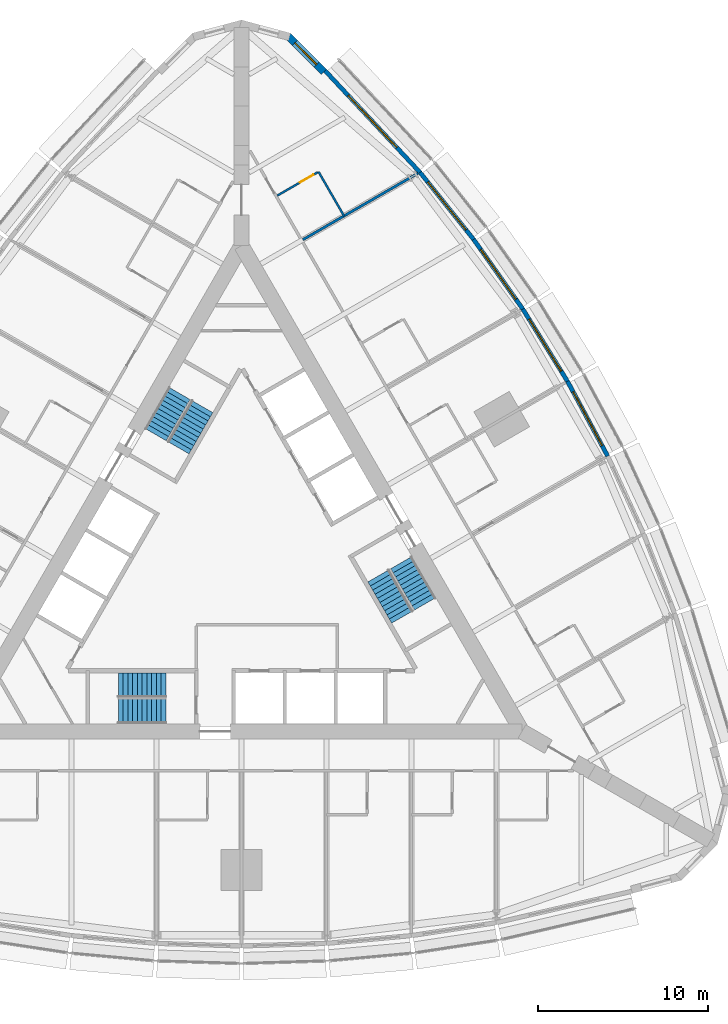
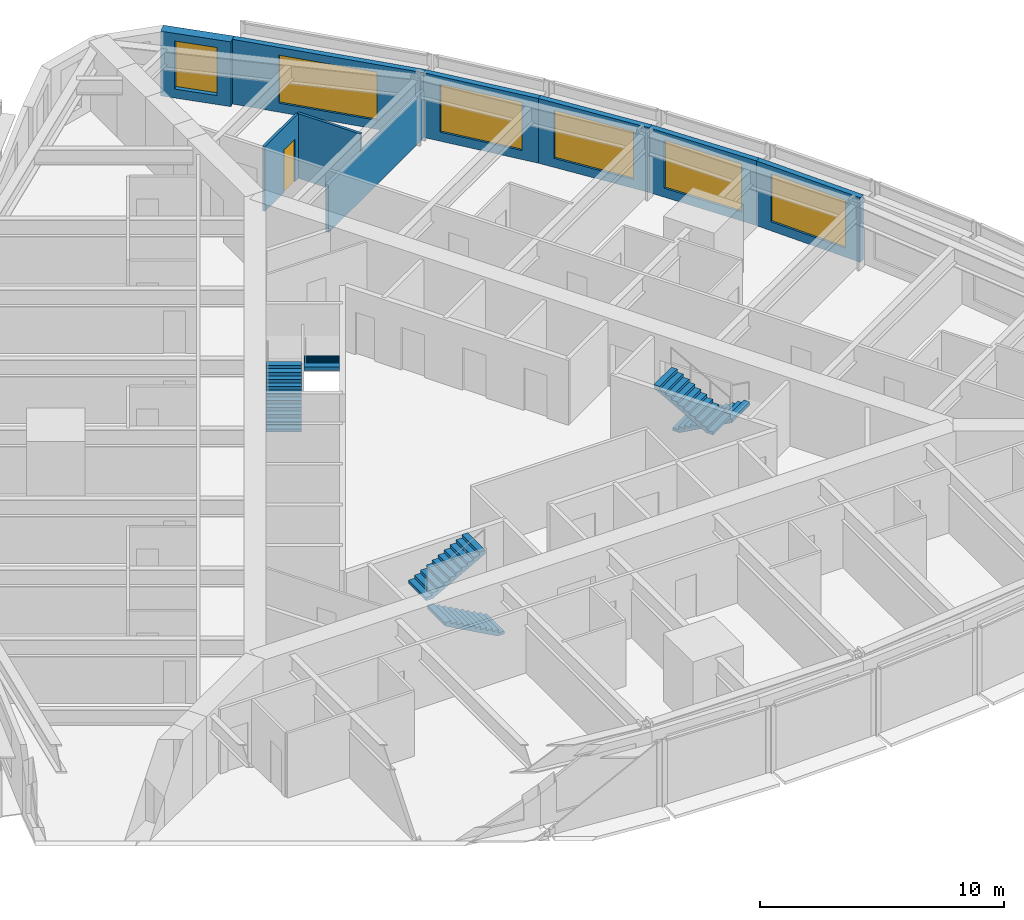
# One storey, part 13 of 14: 9 walls, 6 stair flights, 6 windows, 1 door, 7 openings, 3 elements without a shape of their own.
"""IFC4 building model written with IfcOpenShell, lengths in metres."""

from ifc_helpers import new_model, si_unit, direction, frame, frame_2d, origin, place, context, subcontext, project, spatial, polyline, rectangle, outline, extrude, material, layer, layer_set, type_object, element, fill, aggregate, save


model = new_model("IFC4")

# Units and contexts
model_context = context("Model", 3, precision=1e-05, world=origin(), true_north=direction((0.0, 1.0)))
body_context = subcontext(model_context, "Body", "Model", "MODEL_VIEW")
ifc_project = project(units=[si_unit("LENGTHUNIT", "METRE"), si_unit("AREAUNIT", "SQUARE_METRE"), si_unit("VOLUMEUNIT", "CUBIC_METRE"), si_unit("PLANEANGLEUNIT", "RADIAN"), si_unit("MASSUNIT", "GRAM", prefix="KILO")], contexts=[model_context])

# Site, building, storey
site_placement = place(None, origin())
site = spatial("IfcSite", under=ifc_project, at=site_placement, CompositionType="ELEMENT")
building_placement = place(site_placement, origin())
building = spatial("IfcBuilding", under=site, at=building_placement, Name="Trikona Tower", CompositionType="ELEMENT")
storey_placement = place(building_placement, frame((0.0, 0.0, 82.89990234375)))
storey = spatial("IfcBuildingStorey", under=building, at=storey_placement, Name="L21", CompositionType="ELEMENT", Elevation=82.89990234375)

# Wall
ifc_material_1 = material(Name="Metal stud and cement board", Category="gypsum")
ifc_layer_1 = layer(ifc_material_1, 0.1201171875)
ifc_layer_set_1 = layer_set([ifc_layer_1], Name="Bathroom wall 120")
wall_type_1 = type_object("IfcWallType", Name="Bathroom wall 120", PredefinedType="PLUMBINGWALL", material=ifc_layer_set_1)
wall_1_placement = place(storey_placement, frame((6.03271484375, 20.803466796875, 0.0), z_axis=(0.0, 0.0, 1.0), x_axis=(-0.499990139034, 0.866031096941, 0.0)))
element("IfcWall", 1, at=wall_1_placement, inside=storey, type_object=wall_type_1, Name="Bathroom wall 2112", PredefinedType="PLUMBINGWALL", context=body_context, shape_type="SweptSolid", body=[
    extrude(rectangle(XDim=3.0, YDim=0.1201171875, at=frame_2d((1.5, 0.0))), origin(), (0.0, 0.0, 1.0), 3.235107421875),
])

# Wall, opening, door
wall_2_placement = place(storey_placement, frame((2.10791015625, 22.001708984375, 0.0), z_axis=(0.0, 0.0, 1.0), x_axis=(0.866035715982, 0.499982138324, 0.0)))
wall_2 = element("IfcWall", 2, at=wall_2_placement, inside=storey, type_object=wall_type_1, Name="Bathroom wall 2112", PredefinedType="PLUMBINGWALL", context=body_context, shape_type="SweptSolid", body=[
    extrude(rectangle(XDim=2.73974609375, YDim=0.1201171875, at=frame_2d((1.369873046875, 0.0))), origin(), (0.0, 0.0, 1.0), 3.235107421875),
])
opening_1_placement = place(wall_2_placement, frame((1.550048828125, 0.0, 0.0)))
opening_1 = element("IfcOpeningElement", 3, at=opening_1_placement, cuts=wall_2, Name="Opening D2", PredefinedType="OPENING", context=body_context, shape_type="SweptSolid", body=[
    extrude(rectangle(XDim=0.89990234375, YDim=2.1298828125, at=frame_2d((0.449951171875, 1.06494140625))), frame((0.0, 0.070068359375, 0.0), z_axis=(0.0, -1.0, 0.0), x_axis=(1.0, 0.0, 0.0)), (0.0, 0.0, 1.0), 0.14013671875),
])
ifc_material_2 = material(Name="Steel door frame with solid-core timber leaf", Category="steel")
door_type = type_object("IfcDoorType", Name="Bathroom door 900x2130", OperationType="SLIDING_TO_LEFT", PredefinedType="DOOR", material=ifc_material_2)
door_placement = place(opening_1_placement, origin())
door = element("IfcDoor", 4, at=door_placement, inside=storey, type_object=door_type, Name="Bathroom door 2112", OperationType="SLIDING_TO_LEFT", OverallHeight=2.1298828125, OverallWidth=0.89990234375, PredefinedType="DOOR", context=body_context, shape_type="SweptSolid", body=[
    extrude(rectangle(XDim=0.89990234375, YDim=2.1298828125, at=frame_2d((0.449951171875, 1.06494140625))), frame((0.0, 0.02490234375, 0.0), z_axis=(0.0, -1.0, 0.0), x_axis=(1.0, 0.0, 0.0)), (0.0, 0.0, 1.0), 0.050048828125),
])
fill(opening_1, door)

# Wall, opening, window
ifc_material_3 = material(Name="Brick-faced precast concrete", Category="masonry")
ifc_layer_2 = layer(ifc_material_3, 0.449951171875)
ifc_layer_set_2 = layer_set([ifc_layer_2], Name="Brick-faced corner wall 450")
wall_type_2 = type_object("IfcWallType", Name="Brick-faced corner wall 450", PredefinedType="SOLIDWALL", material=ifc_layer_set_2)
wall_3_placement = place(storey_placement, frame((4.8408203125, 29.285888671875, 0.0), z_axis=(0.0, 0.0, 1.0), x_axis=(-0.707106781187, 0.707106781187, 0.0)))
wall_3 = element("IfcWall", 5, at=wall_3_placement, inside=storey, type_object=wall_type_2, Name="External wall L21-20", PredefinedType="SOLIDWALL", context=body_context, shape_type="SweptSolid", body=[
    extrude(rectangle(XDim=2.98828125, YDim=0.449951171875, at=frame_2d((1.494140625, 0.0))), origin(), (0.0, 0.0, 1.0), 3.235107421875),
])
opening_2_placement = place(wall_3_placement, frame((0.59423828125, 0.0, 0.449951171875)))
opening_2 = element("IfcOpeningElement", 6, at=opening_2_placement, cuts=wall_3, Name="Opening W1824", PredefinedType="OPENING", context=body_context, shape_type="SweptSolid", body=[
    extrude(rectangle(XDim=1.800048828125, YDim=2.39990234375, at=frame_2d((0.89990234375, 1.199951171875))), frame((0.0, 0.23486328125, 0.0), z_axis=(0.0, -1.0, 0.0), x_axis=(1.0, 0.0, 0.0)), (0.0, 0.0, 1.0), 0.469970703125),
])
ifc_material_4 = material(Name="Aluminium-framed double glazing", Category="aluminium")
window_type_1 = type_object("IfcWindowType", Name="Window 1800x2400", PartitioningType="SINGLE_PANEL", PredefinedType="WINDOW", material=ifc_material_4)
window_1_placement = place(opening_2_placement, origin())
window_1 = element("IfcWindow", 7, at=window_1_placement, inside=storey, type_object=window_type_1, Name="Window 2112", OverallHeight=2.39990234375, OverallWidth=1.800048828125, PartitioningType="SINGLE_PANEL", PredefinedType="WINDOW", context=body_context, shape_type="SweptSolid", body=[
    extrude(rectangle(XDim=1.800048828125, YDim=2.39990234375, at=frame_2d((0.89990234375, 1.199951171875))), frame((0.0, 0.030029296875, 0.0), z_axis=(0.0, -1.0, 0.0), x_axis=(1.0, 0.0, 0.0)), (0.0, 0.0, 1.0), 0.06005859375),
])
fill(opening_2, window_1)

ifc_material_5 = material(Name="Insulated precast concrete spandrel panel", Category="concrete")
ifc_layer_3 = layer(ifc_material_5, 0.25)
ifc_layer_set_3 = layer_set([ifc_layer_3], Name="Inner skin wall 250")
wall_type_3 = type_object("IfcWallType", Name="Inner skin wall 250", PredefinedType="STANDARD", material=ifc_layer_set_3)
wall_4_placement = place(storey_placement, frame((21.546630859375, 6.6708984375, 0.0), z_axis=(0.0, 0.0, 1.0), x_axis=(-0.473412820489, 0.880840678782, 0.0)))
wall_4 = element("IfcWall", 8, at=wall_4_placement, inside=storey, type_object=wall_type_3, Name="External wall L21-15", PredefinedType="STANDARD", context=body_context, shape_type="SweptSolid", body=[
    extrude(rectangle(XDim=5.00244140625, YDim=0.25, at=frame_2d((2.501220703125, 0.0))), origin(), (0.0, 0.0, 1.0), 3.235107421875),
])
opening_3_placement = place(wall_4_placement, frame((0.701171875, 0.0, 0.449951171875)))
opening_3 = element("IfcOpeningElement", 9, at=opening_3_placement, cuts=wall_4, Name="Opening W3624", PredefinedType="OPENING", context=body_context, shape_type="SweptSolid", body=[
    extrude(rectangle(XDim=3.60009765625, YDim=2.39990234375, at=frame_2d((1.800048828125, 1.199951171875))), frame((0.0, 0.135009765625, 0.0), z_axis=(0.0, -1.0, 0.0), x_axis=(1.0, 0.0, 0.0)), (0.0, 0.0, 1.0), 0.27001953125),
])
ifc_material_6 = material(Name="Aluminium-framed double glazing", Category="aluminium")
window_type_2 = type_object("IfcWindowType", Name="Window 3600x2400", PartitioningType="SINGLE_PANEL", PredefinedType="WINDOW", material=ifc_material_6)
window_2_placement = place(opening_3_placement, origin())
window_2 = element("IfcWindow", 10, at=window_2_placement, inside=storey, type_object=window_type_2, Name="Window 2109.1", OverallHeight=2.39990234375, OverallWidth=3.60009765625, PartitioningType="SINGLE_PANEL", PredefinedType="WINDOW", context=body_context, shape_type="SweptSolid", body=[
    extrude(rectangle(XDim=3.60009765625, YDim=2.39990234375, at=frame_2d((1.800048828125, 1.199951171875))), frame((0.0, 0.030029296875, 0.0), z_axis=(0.0, -1.0, 0.0), x_axis=(1.0, 0.0, 0.0)), (0.0, 0.0, 1.0), 0.06005859375),
])
fill(opening_3, window_2)

wall_5_placement = place(storey_placement, frame((19.182373046875, 11.070556640625, 0.0), z_axis=(0.0, 0.0, 1.0), x_axis=(-0.526132807704, 0.850402415717, 0.0)))
wall_5 = element("IfcWall", 11, at=wall_5_placement, inside=storey, type_object=wall_type_3, Name="External wall L21-16", PredefinedType="STANDARD", context=body_context, shape_type="SweptSolid", body=[
    extrude(rectangle(XDim=5.002197265625, YDim=0.25, at=frame_2d((2.5009765625, 0.0))), origin(), (0.0, 0.0, 1.0), 3.235107421875),
])
opening_4_placement = place(wall_5_placement, frame((0.701171875, 0.0, 0.449951171875)))
opening_4 = element("IfcOpeningElement", 12, at=opening_4_placement, cuts=wall_5, Name="Opening W3624", PredefinedType="OPENING", context=body_context, shape_type="SweptSolid", body=[
    extrude(rectangle(XDim=3.60009765625, YDim=2.39990234375, at=frame_2d((1.800048828125, 1.199951171875))), frame((0.0, 0.135009765625, 0.0), z_axis=(0.0, -1.0, 0.0), x_axis=(1.0, 0.0, 0.0)), (0.0, 0.0, 1.0), 0.27001953125),
])
window_3_placement = place(opening_4_placement, origin())
window_3 = element("IfcWindow", 13, at=window_3_placement, inside=storey, type_object=window_type_2, Name="Window 2110", OverallHeight=2.39990234375, OverallWidth=3.60009765625, PartitioningType="SINGLE_PANEL", PredefinedType="WINDOW", context=body_context, shape_type="SweptSolid", body=[
    extrude(rectangle(XDim=3.60009765625, YDim=2.39990234375, at=frame_2d((1.800048828125, 1.199951171875))), frame((0.0, 0.030029296875, 0.0), z_axis=(0.0, -1.0, 0.0), x_axis=(1.0, 0.0, 0.0)), (0.0, 0.0, 1.0), 0.06005859375),
])
fill(opening_4, window_3)

wall_6_placement = place(storey_placement, frame((16.5546875, 15.318115234375, 0.0), z_axis=(0.0, 0.0, 1.0), x_axis=(-0.5766431066, 0.81699616132, 0.0)))
wall_6 = element("IfcWall", 14, at=wall_6_placement, inside=storey, type_object=wall_type_3, Name="External wall L21-17", PredefinedType="STANDARD", context=body_context, shape_type="SweptSolid", body=[
    extrude(rectangle(XDim=5.02099609375, YDim=0.25, at=frame_2d((2.510498046875, 0.0))), origin(), (0.0, 0.0, 1.0), 3.235107421875),
])
opening_5_placement = place(wall_6_placement, frame((0.71044921875, 0.0, 0.449951171875)))
opening_5 = element("IfcOpeningElement", 15, at=opening_5_placement, cuts=wall_6, Name="Opening W3624", PredefinedType="OPENING", context=body_context, shape_type="SweptSolid", body=[
    extrude(rectangle(XDim=3.60009765625, YDim=2.39990234375, at=frame_2d((1.800048828125, 1.199951171875))), frame((0.0, 0.135009765625, 0.0), z_axis=(0.0, -1.0, 0.0), x_axis=(1.0, 0.0, 0.0)), (0.0, 0.0, 1.0), 0.27001953125),
])
window_4_placement = place(opening_5_placement, origin())
window_4 = element("IfcWindow", 16, at=window_4_placement, inside=storey, type_object=window_type_2, Name="Window 2111", OverallHeight=2.39990234375, OverallWidth=3.60009765625, PartitioningType="SINGLE_PANEL", PredefinedType="WINDOW", context=body_context, shape_type="SweptSolid", body=[
    extrude(rectangle(XDim=3.60009765625, YDim=2.39990234375, at=frame_2d((1.800048828125, 1.199951171875))), frame((0.0, 0.030029296875, 0.0), z_axis=(0.0, -1.0, 0.0), x_axis=(1.0, 0.0, 0.0)), (0.0, 0.0, 1.0), 0.06005859375),
])
fill(opening_5, window_4)

wall_7_placement = place(storey_placement, frame((13.663818359375, 19.4140625, 0.0), z_axis=(0.0, 0.0, 1.0), x_axis=(-0.624594965756, 0.780948864364, 0.0)))
wall_7 = element("IfcWall", 17, at=wall_7_placement, inside=storey, type_object=wall_type_3, Name="External wall L21-18", PredefinedType="STANDARD", context=body_context, shape_type="SweptSolid", body=[
    extrude(rectangle(XDim=5.0576171875, YDim=0.25, at=frame_2d((2.52880859375, 0.0))), origin(), (0.0, 0.0, 1.0), 3.235107421875),
])
opening_6_placement = place(wall_7_placement, frame((0.728759765625, 0.0, 0.449951171875)))
opening_6 = element("IfcOpeningElement", 18, at=opening_6_placement, cuts=wall_7, Name="Opening W3624", PredefinedType="OPENING", context=body_context, shape_type="SweptSolid", body=[
    extrude(rectangle(XDim=3.60009765625, YDim=2.39990234375, at=frame_2d((1.800048828125, 1.199951171875))), frame((0.0, 0.135009765625, 0.0), z_axis=(0.0, -1.0, 0.0), x_axis=(1.0, 0.0, 0.0)), (0.0, 0.0, 1.0), 0.27001953125),
])
window_5_placement = place(opening_6_placement, origin())
window_5 = element("IfcWindow", 19, at=window_5_placement, inside=storey, type_object=window_type_2, Name="Window 2111", OverallHeight=2.39990234375, OverallWidth=3.60009765625, PartitioningType="SINGLE_PANEL", PredefinedType="WINDOW", context=body_context, shape_type="SweptSolid", body=[
    extrude(rectangle(XDim=3.60009765625, YDim=2.39990234375, at=frame_2d((1.800048828125, 1.199951171875))), frame((0.0, 0.030029296875, 0.0), z_axis=(0.0, -1.0, 0.0), x_axis=(1.0, 0.0, 0.0)), (0.0, 0.0, 1.0), 0.06005859375),
])
fill(opening_6, window_5)

wall_8_placement = place(storey_placement, frame((10.510986328125, 23.356689453125, 0.0), z_axis=(0.0, 0.0, 1.0), x_axis=(-0.682289646561, 0.731081964075, 0.0)))
wall_8 = element("IfcWall", 20, at=wall_8_placement, inside=storey, type_object=wall_type_3, Name="External wall L21-19", PredefinedType="STANDARD", context=body_context, shape_type="SweptSolid", body=[
    extrude(rectangle(XDim=8.2109375, YDim=0.25, at=frame_2d((4.10546875, 0.0))), origin(), (0.0, 0.0, 1.0), 3.235107421875),
])
opening_7_placement = place(wall_8_placement, frame((2.005615234375, 0.0, 0.449951171875)))
opening_7 = element("IfcOpeningElement", 21, at=opening_7_placement, cuts=wall_8, Name="Opening W4224", PredefinedType="OPENING", context=body_context, shape_type="SweptSolid", body=[
    extrude(rectangle(XDim=4.199951171875, YDim=2.39990234375, at=frame_2d((2.10009765625, 1.199951171875))), frame((0.0, 0.135009765625, 0.0), z_axis=(0.0, -1.0, 0.0), x_axis=(1.0, 0.0, 0.0)), (0.0, 0.0, 1.0), 0.27001953125),
])
ifc_material_7 = material(Name="Aluminium-framed double glazing", Category="aluminium")
window_type_3 = type_object("IfcWindowType", Name="Window 4200x2400", PartitioningType="SINGLE_PANEL", PredefinedType="WINDOW", material=ifc_material_7)
window_6_placement = place(opening_7_placement, origin())
window_6 = element("IfcWindow", 22, at=window_6_placement, inside=storey, type_object=window_type_3, Name="Window 2112", OverallHeight=2.39990234375, OverallWidth=4.199951171875, PartitioningType="SINGLE_PANEL", PredefinedType="WINDOW", context=body_context, shape_type="SweptSolid", body=[
    extrude(rectangle(XDim=4.199951171875, YDim=2.39990234375, at=frame_2d((2.10009765625, 1.199951171875))), frame((0.0, 0.030029296875, 0.0), z_axis=(0.0, -1.0, 0.0), x_axis=(1.0, 0.0, 0.0)), (0.0, 0.0, 1.0), 0.06005859375),
])
fill(opening_7, window_6)

# Wall
ifc_material_8 = material(Name="Metal stud and gypsum board, 1-hour acoustic", Category="gypsum")
ifc_layer_4 = layer(ifc_material_8, 0.14990234375)
ifc_layer_set_4 = layer_set([ifc_layer_4], Name="Party wall 150")
wall_type_4 = type_object("IfcWallType", Name="Party wall 150", PredefinedType="PARTITIONING", material=ifc_layer_set_4)
wall_9_placement = place(storey_placement, frame((3.60791015625, 19.403564453125, 0.0), z_axis=(0.0, 0.0, 1.0), x_axis=(0.866021300503, 0.500007107024, 0.0)))
element("IfcWall", 23, at=wall_9_placement, inside=storey, type_object=wall_type_4, Name="Partition L21 F2 u15", PredefinedType="PARTITIONING", context=body_context, shape_type="SweptSolid", body=[
    extrude(rectangle(XDim=7.8203125, YDim=0.14990234375, at=frame_2d((3.91015625, 0.0))), origin(), (0.0, 0.0, 1.0), 2.389404296875),
])

# Stair, stair flights
ifc_material_9 = material(Name="Concrete f'c 5000 psi", Category="concrete")
stair_type = type_object("IfcStairType", Name="Core stair", PredefinedType="HALF_TURN_STAIR", material=ifc_material_9)
stair_1_placement = place(storey_placement, origin())
stair_1 = element("IfcStair", 24, at=stair_1_placement, inside=storey, type_object=stair_type, Name="Stair A L21", PredefinedType="HALF_TURN_STAIR")
ifc_material_10 = material(Name="Concrete f'c 5000 psi", Category="concrete")
stair_flight_type = type_object("IfcStairFlightType", Name="Core stair flight 1450", PredefinedType="STRAIGHT", material=ifc_material_10)
stair_flight_1_placement = place(storey_placement, frame((-4.449951171875, -8.351318359375, 0.0), z_axis=(0.0, 0.0, 1.0), x_axis=(-1.0, 0.0, 0.0)))
stair_flight_1 = element("IfcStairFlight", 25, at=stair_flight_1_placement, type_object=stair_flight_type, Name="ST-A flight 1", NumberOfRisers=11, NumberOfTreads=10, PredefinedType="STRAIGHT", RiserHeight=0.154545, TreadLength=0.28, context=body_context, shape_type="SweptSolid", body=[
    extrude(outline(polyline([(0.0, 0.0), (0.0, 0.154541015625), (0.280029296875, 0.154541015625), (0.280029296875, 0.30908203125), (0.56005859375, 0.30908203125), (0.56005859375, 0.463623046875), (0.840087890625, 0.463623046875), (0.840087890625, 0.6181640625), (1.1201171875, 0.6181640625), (1.1201171875, 0.772705078125), (1.39990234375, 0.772705078125), (1.39990234375, 0.92724609375), (1.679931640625, 0.92724609375), (1.679931640625, 1.081787109375), (1.9599609375, 1.081787109375), (1.9599609375, 1.236328125), (2.239990234375, 1.236328125), (2.239990234375, 1.390869140625), (2.52001953125, 1.390869140625), (2.52001953125, 1.54541015625), (2.800048828125, 1.54541015625), (2.800048828125, 1.699951171875), (2.800048828125, 1.374267578125), (0.310302734375, 0.0), (0.0, 0.0)])), frame((0.0, 0.72509765625, 0.0), z_axis=(0.0, -1.0, 0.0), x_axis=(1.0, 0.0, 0.0)), (0.0, 0.0, 1.0), 1.449951171875),
])
stair_flight_2_placement = place(storey_placement, frame((-7.25, -6.80126953125, 1.7001953125), z_axis=(0.0, 0.0, 1.0), x_axis=(1.0, 0.0, 0.0)))
stair_flight_2 = element("IfcStairFlight", 26, at=stair_flight_2_placement, type_object=stair_flight_type, Name="ST-A flight 2", NumberOfRisers=11, NumberOfTreads=10, PredefinedType="STRAIGHT", RiserHeight=0.154545, TreadLength=0.28, context=body_context, shape_type="SweptSolid", body=[
    extrude(outline(polyline([(0.0, 0.0), (0.0, 0.154541015625), (0.280029296875, 0.154541015625), (0.280029296875, 0.30908203125), (0.56005859375, 0.30908203125), (0.56005859375, 0.463623046875), (0.840087890625, 0.463623046875), (0.840087890625, 0.6181640625), (1.1201171875, 0.6181640625), (1.1201171875, 0.772705078125), (1.39990234375, 0.772705078125), (1.39990234375, 0.92724609375), (1.679931640625, 0.92724609375), (1.679931640625, 1.081787109375), (1.9599609375, 1.081787109375), (1.9599609375, 1.236328125), (2.239990234375, 1.236328125), (2.239990234375, 1.390869140625), (2.52001953125, 1.390869140625), (2.52001953125, 1.54541015625), (2.800048828125, 1.54541015625), (2.800048828125, 1.699951171875), (2.800048828125, 1.374267578125), (0.310302734375, 0.0), (0.0, 0.0)])), frame((0.0, 0.72509765625, 0.0), z_axis=(0.0, -1.0, 0.0), x_axis=(1.0, 0.0, 0.0)), (0.0, 0.0, 1.0), 1.449951171875),
])
aggregate(stair_1, [stair_flight_1, stair_flight_2])

stair_2_placement = place(storey_placement, origin())
stair_2 = element("IfcStair", 27, at=stair_2_placement, inside=storey, type_object=stair_type, Name="Stair B L21", PredefinedType="HALF_TURN_STAIR")
stair_flight_3_placement = place(storey_placement, frame((9.407470703125, 0.408447265625, 0.0), z_axis=(0.0, 0.0, 1.0), x_axis=(0.5, -0.866025403784, 0.0)))
stair_flight_3 = element("IfcStairFlight", 28, at=stair_flight_3_placement, type_object=stair_flight_type, Name="ST-B flight 1", NumberOfRisers=11, NumberOfTreads=10, PredefinedType="STRAIGHT", RiserHeight=0.154545, TreadLength=0.28, context=body_context, shape_type="SweptSolid", body=[
    extrude(outline(polyline([(0.0, 0.0), (0.0, 0.154541015625), (0.280029296875, 0.154541015625), (0.280029296875, 0.30908203125), (0.56005859375, 0.30908203125), (0.56005859375, 0.463623046875), (0.840087890625, 0.463623046875), (0.840087890625, 0.6181640625), (1.1201171875, 0.6181640625), (1.1201171875, 0.772705078125), (1.39990234375, 0.772705078125), (1.39990234375, 0.92724609375), (1.679931640625, 0.92724609375), (1.679931640625, 1.081787109375), (1.9599609375, 1.081787109375), (1.9599609375, 1.236328125), (2.239990234375, 1.236328125), (2.239990234375, 1.390869140625), (2.52001953125, 1.390869140625), (2.52001953125, 1.54541015625), (2.800048828125, 1.54541015625), (2.800048828125, 1.699951171875), (2.800048828125, 1.374267578125), (0.310302734375, 0.0), (0.0, 0.0)])), frame((0.0, 0.72509765625, 0.0), z_axis=(0.0, -1.0, 0.0), x_axis=(1.0, 0.0, 0.0)), (0.0, 0.0, 1.0), 1.449951171875),
])
stair_flight_4_placement = place(storey_placement, frame((9.465087890625, -2.79150390625, 1.7001953125), z_axis=(0.0, 0.0, 1.0), x_axis=(-0.5, 0.866025403784, 0.0)))
stair_flight_4 = element("IfcStairFlight", 29, at=stair_flight_4_placement, type_object=stair_flight_type, Name="ST-B flight 2", NumberOfRisers=11, NumberOfTreads=10, PredefinedType="STRAIGHT", RiserHeight=0.154545, TreadLength=0.28, context=body_context, shape_type="SweptSolid", body=[
    extrude(outline(polyline([(0.0, 0.0), (0.0, 0.154541015625), (0.280029296875, 0.154541015625), (0.280029296875, 0.30908203125), (0.56005859375, 0.30908203125), (0.56005859375, 0.463623046875), (0.840087890625, 0.463623046875), (0.840087890625, 0.6181640625), (1.1201171875, 0.6181640625), (1.1201171875, 0.772705078125), (1.39990234375, 0.772705078125), (1.39990234375, 0.92724609375), (1.679931640625, 0.92724609375), (1.679931640625, 1.081787109375), (1.9599609375, 1.081787109375), (1.9599609375, 1.236328125), (2.239990234375, 1.236328125), (2.239990234375, 1.390869140625), (2.52001953125, 1.390869140625), (2.52001953125, 1.54541015625), (2.800048828125, 1.54541015625), (2.800048828125, 1.699951171875), (2.800048828125, 1.374267578125), (0.310302734375, 0.0), (0.0, 0.0)])), frame((0.0, 0.72509765625, 0.0), z_axis=(0.0, -1.0, 0.0), x_axis=(1.0, 0.0, 0.0)), (0.0, 0.0, 1.0), 1.449951171875),
])
aggregate(stair_2, [stair_flight_3, stair_flight_4])

stair_3_placement = place(storey_placement, origin())
stair_3 = element("IfcStair", 30, at=stair_3_placement, inside=storey, type_object=stair_type, Name="Stair C L21", PredefinedType="HALF_TURN_STAIR")
stair_flight_5_placement = place(storey_placement, frame((-5.057373046875, 7.94287109375, 0.0), z_axis=(0.0, 0.0, 1.0), x_axis=(0.5, 0.866025403784, 0.0)))
stair_flight_5 = element("IfcStairFlight", 31, at=stair_flight_5_placement, type_object=stair_flight_type, Name="ST-C flight 1", NumberOfRisers=11, NumberOfTreads=10, PredefinedType="STRAIGHT", RiserHeight=0.154545, TreadLength=0.28, context=body_context, shape_type="SweptSolid", body=[
    extrude(outline(polyline([(0.0, 0.0), (0.0, 0.154541015625), (0.280029296875, 0.154541015625), (0.280029296875, 0.30908203125), (0.56005859375, 0.30908203125), (0.56005859375, 0.463623046875), (0.840087890625, 0.463623046875), (0.840087890625, 0.6181640625), (1.1201171875, 0.6181640625), (1.1201171875, 0.772705078125), (1.39990234375, 0.772705078125), (1.39990234375, 0.92724609375), (1.679931640625, 0.92724609375), (1.679931640625, 1.081787109375), (1.9599609375, 1.081787109375), (1.9599609375, 1.236328125), (2.239990234375, 1.236328125), (2.239990234375, 1.390869140625), (2.52001953125, 1.390869140625), (2.52001953125, 1.54541015625), (2.800048828125, 1.54541015625), (2.800048828125, 1.699951171875), (2.800048828125, 1.374267578125), (0.310302734375, 0.0), (0.0, 0.0)])), frame((0.0, 0.72509765625, 0.0), z_axis=(0.0, -1.0, 0.0), x_axis=(1.0, 0.0, 0.0)), (0.0, 0.0, 1.0), 1.449951171875),
])
stair_flight_6_placement = place(storey_placement, frame((-2.315185546875, 9.5927734375, 1.7001953125), z_axis=(0.0, 0.0, 1.0), x_axis=(-0.5, -0.866025403784, 0.0)))
stair_flight_6 = element("IfcStairFlight", 32, at=stair_flight_6_placement, type_object=stair_flight_type, Name="ST-C flight 2", NumberOfRisers=11, NumberOfTreads=10, PredefinedType="STRAIGHT", RiserHeight=0.154545, TreadLength=0.28, context=body_context, shape_type="SweptSolid", body=[
    extrude(outline(polyline([(0.0, 0.0), (0.0, 0.154541015625), (0.280029296875, 0.154541015625), (0.280029296875, 0.30908203125), (0.56005859375, 0.30908203125), (0.56005859375, 0.463623046875), (0.840087890625, 0.463623046875), (0.840087890625, 0.6181640625), (1.1201171875, 0.6181640625), (1.1201171875, 0.772705078125), (1.39990234375, 0.772705078125), (1.39990234375, 0.92724609375), (1.679931640625, 0.92724609375), (1.679931640625, 1.081787109375), (1.9599609375, 1.081787109375), (1.9599609375, 1.236328125), (2.239990234375, 1.236328125), (2.239990234375, 1.390869140625), (2.52001953125, 1.390869140625), (2.52001953125, 1.54541015625), (2.800048828125, 1.54541015625), (2.800048828125, 1.699951171875), (2.800048828125, 1.374267578125), (0.310302734375, 0.0), (0.0, 0.0)])), frame((0.0, 0.72509765625, 0.0), z_axis=(0.0, -1.0, 0.0), x_axis=(1.0, 0.0, 0.0)), (0.0, 0.0, 1.0), 1.449951171875),
])
aggregate(stair_3, [stair_flight_5, stair_flight_6])

save(model, "model.ifc")
